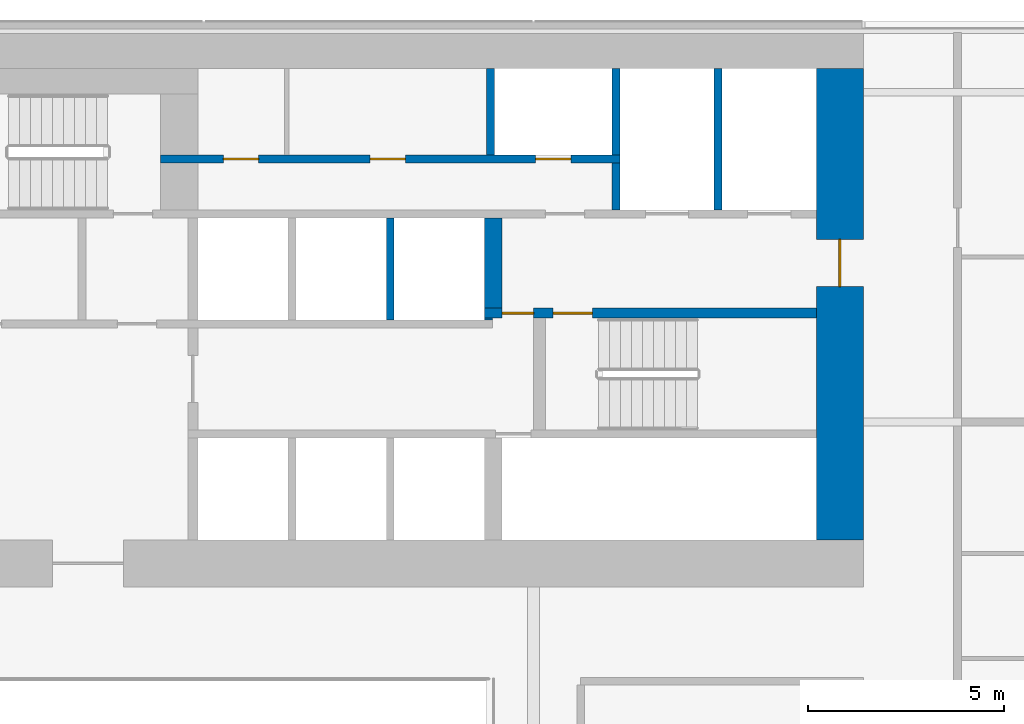
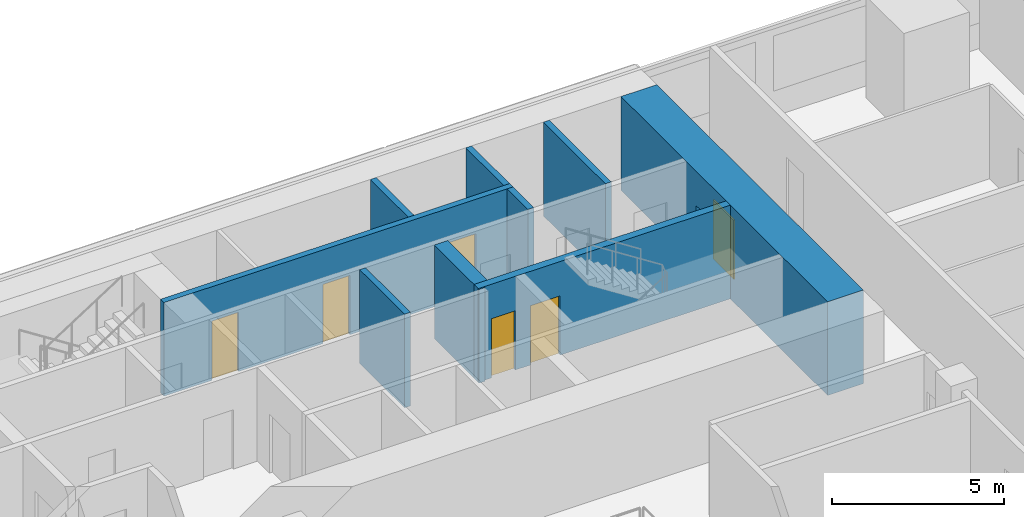
# One storey, part 23 of 28: 10 walls, 6 doors, 6 openings.
"""IFC4 building model written with IfcOpenShell, lengths in metres."""

from ifc_helpers import new_model, si_unit, direction, frame, frame_2d, origin, place, context, subcontext, project, spatial, rectangle, extrude, material, layer, layer_set, type_object, element, fill, save


model = new_model("IFC4")

# Units and contexts
model_context = context("Model", 3, precision=1e-05, world=origin(), true_north=direction((0.0, 1.0)))
body_context = subcontext(model_context, "Body", "Model", "MODEL_VIEW")
ifc_project = project(units=[si_unit("LENGTHUNIT", "METRE"), si_unit("AREAUNIT", "SQUARE_METRE"), si_unit("VOLUMEUNIT", "CUBIC_METRE"), si_unit("PLANEANGLEUNIT", "RADIAN"), si_unit("MASSUNIT", "GRAM", prefix="KILO")], contexts=[model_context])

# Site, building, storey
site_placement = place(None, origin())
site = spatial("IfcSite", under=ifc_project, at=site_placement, CompositionType="ELEMENT")
building_placement = place(site_placement, origin())
building = spatial("IfcBuilding", under=site, at=building_placement, Name="Saffron Gate Tower", CompositionType="ELEMENT")
storey_placement = place(building_placement, frame((0.0, 0.0, 51.60009765625)))
storey = spatial("IfcBuildingStorey", under=building, at=storey_placement, Name="L11", CompositionType="ELEMENT", Elevation=51.60009765625)

# Wall, opening, door
ifc_material_1 = material(Name="Concrete C70", Category="concrete")
ifc_layer_1 = layer(ifc_material_1, 1.199951171875)
ifc_layer_set_1 = layer_set([ifc_layer_1], Name="CW1 RC core wall 1200 C70")
wall_type_1 = type_object("IfcWallType", Name="CW1 RC core wall 1200 C70", PredefinedType="SOLIDWALL", material=ifc_layer_set_1)
wall_1_placement = place(storey_placement, frame((108.0, 62.39990234375, 0.0), z_axis=(0.0, 0.0, 1.0), x_axis=(0.0, 1.0, 0.0)))
wall_1 = element("IfcWall", 1, at=wall_1_placement, inside=storey, type_object=wall_type_1, Name="Wall CW1-L11-4", PredefinedType="SOLIDWALL", context=body_context, shape_type="SweptSolid", body=[
    extrude(rectangle(XDim=12.0, YDim=1.199951171875, at=frame_2d((6.0, 0.0))), origin(), (0.0, 0.0, 1.0), 3.31982421875),
])
opening_1_placement = place(wall_1_placement, frame((6.449951171875, 0.0, 0.0)))
opening_1 = element("IfcOpeningElement", 2, at=opening_1_placement, cuts=wall_1, Name="Opening CR-08", PredefinedType="OPENING", context=body_context, shape_type="SweptSolid", body=[
    extrude(rectangle(XDim=1.199951171875, YDim=2.10009765625, at=frame_2d((0.60009765625, 1.050048828125))), frame((0.0, 0.60986328125, 0.0), z_axis=(0.0, -1.0, 0.0), x_axis=(1.0, 0.0, 0.0)), (0.0, 0.0, 1.0), 1.219970703125),
])
ifc_material_2 = material(Name="Steel fire door set", Category="steel")
door_type_1 = type_object("IfcDoorType", Name="CD7 Core entrance door 1200x2100 EI 120", OperationType="NOTDEFINED", PredefinedType="DOOR", material=ifc_material_2)
door_1_placement = place(opening_1_placement, origin())
door_1 = element("IfcDoor", 3, at=door_1_placement, inside=storey, type_object=door_type_1, Name="DOOR CR-08", OperationType="SINGLE_SWING_RIGHT", OverallHeight=2.10009765625, OverallWidth=1.199951171875, PredefinedType="DOOR", context=body_context, shape_type="SweptSolid", body=[
    extrude(rectangle(XDim=1.199951171875, YDim=2.10009765625, at=frame_2d((0.60009765625, 1.050048828125))), frame((0.0, 0.02490234375, 0.0), z_axis=(0.0, -1.0, 0.0), x_axis=(1.0, 0.0, 0.0)), (0.0, 0.0, 1.0), 0.050048828125),
])
fill(opening_1, door_1)

# Wall, openings, doors
ifc_layer_2 = layer(ifc_material_1, 0.25)
ifc_layer_set_2 = layer_set([ifc_layer_2], Name="CW2 RC core wall 250 C70")
wall_type_2 = type_object("IfcWallType", Name="CW2 RC core wall 250 C70", PredefinedType="SOLIDWALL", material=ifc_layer_set_2)
wall_2_placement = place(storey_placement, frame((98.949951171875, 68.175048828125, 0.0), z_axis=(0.0, 0.0, 1.0), x_axis=(1.0, 0.0, 0.0)))
wall_2 = element("IfcWall", 4, at=wall_2_placement, inside=storey, type_object=wall_type_2, Name="Wall CW2-L11-30", PredefinedType="SOLIDWALL", context=body_context, shape_type="SweptSolid", body=[
    extrude(rectangle(XDim=8.449951171875, YDim=0.25, at=frame_2d((4.22509765625, 0.0))), origin(), (0.0, 0.0, 1.0), 3.31982421875),
])
opening_2_placement = place(wall_2_placement, frame((0.449951171875, 0.0, 0.0)))
opening_2 = element("IfcOpeningElement", 5, at=opening_2_placement, cuts=wall_2, Name="Opening CR-05", PredefinedType="OPENING", context=body_context, shape_type="SweptSolid", body=[
    extrude(rectangle(XDim=0.800048828125, YDim=2.10009765625, at=frame_2d((0.39990234375, 1.050048828125))), frame((0.0, 0.135009765625, 0.0), z_axis=(0.0, -1.0, 0.0), x_axis=(1.0, 0.0, 0.0)), (0.0, 0.0, 1.0), 0.27001953125),
])
opening_3_placement = place(wall_2_placement, frame((1.75, 0.0, 0.0)))
opening_3 = element("IfcOpeningElement", 6, at=opening_3_placement, cuts=wall_2, Name="Opening CR-16", PredefinedType="OPENING", context=body_context, shape_type="SweptSolid", body=[
    extrude(rectangle(XDim=1.0, YDim=2.10009765625, at=frame_2d((0.5, 1.050048828125))), frame((0.0, 0.135009765625, 0.0), z_axis=(0.0, -1.0, 0.0), x_axis=(1.0, 0.0, 0.0)), (0.0, 0.0, 1.0), 0.27001953125),
])
door_type_2 = type_object("IfcDoorType", Name="CD5 Stair door 1000x2100 EI 120", OperationType="NOTDEFINED", PredefinedType="DOOR", material=ifc_material_2)
door_2_placement = place(opening_3_placement, origin())
door_2 = element("IfcDoor", 7, at=door_2_placement, inside=storey, type_object=door_type_2, Name="DOOR CR-16", OperationType="SINGLE_SWING_RIGHT", OverallHeight=2.10009765625, OverallWidth=1.0, PredefinedType="DOOR", context=body_context, shape_type="SweptSolid", body=[
    extrude(rectangle(XDim=1.0, YDim=2.10009765625, at=frame_2d((0.5, 1.050048828125))), frame((0.0, 0.02490234375, 0.0), z_axis=(0.0, -1.0, 0.0), x_axis=(1.0, 0.0, 0.0)), (0.0, 0.0, 1.0), 0.050048828125),
])
fill(opening_3, door_2)
door_type_3 = type_object("IfcDoorType", Name="CD6 Lobby door 800x2100 EI 120", OperationType="NOTDEFINED", PredefinedType="DOOR", material=ifc_material_2)
door_3_placement = place(opening_2_placement, origin())
door_3 = element("IfcDoor", 8, at=door_3_placement, inside=storey, type_object=door_type_3, Name="DOOR CR-05", OperationType="SINGLE_SWING_LEFT", OverallHeight=2.10009765625, OverallWidth=0.800048828125, PredefinedType="DOOR", context=body_context, shape_type="SweptSolid", body=[
    extrude(rectangle(XDim=0.800048828125, YDim=2.10009765625, at=frame_2d((0.39990234375, 1.050048828125))), frame((0.0, 0.02490234375, 0.0), z_axis=(0.0, -1.0, 0.0), x_axis=(1.0, 0.0, 0.0)), (0.0, 0.0, 1.0), 0.050048828125),
])
fill(opening_2, door_3)

# Walls
ifc_layer_3 = layer(ifc_material_1, 0.199951171875)
ifc_layer_set_3 = layer_set([ifc_layer_3], Name="CW3 RC core wall 200 C70")
wall_type_3 = type_object("IfcWallType", Name="CW3 RC core wall 200 C70", PredefinedType="SOLIDWALL", material=ifc_layer_set_3)
wall_3_placement = place(storey_placement, frame((96.550048828125, 68.0, 0.0), z_axis=(0.0, 0.0, 1.0), x_axis=(0.0, 1.0, 0.0)))
element("IfcWall", 9, at=wall_3_placement, inside=storey, type_object=wall_type_3, Name="Wall CW3-L11-27", PredefinedType="SOLIDWALL", context=body_context, shape_type="SweptSolid", body=[
    extrude(rectangle(XDim=2.60009765625, YDim=0.199951171875, at=frame_2d((1.300048828125, 0.0))), origin(), (0.0, 0.0, 1.0), 3.31982421875),
])
wall_4_placement = place(storey_placement, frame((102.300048828125, 70.800048828125, 0.0), z_axis=(0.0, 0.0, 1.0), x_axis=(0.0, 1.0, 0.0)))
element("IfcWall", 10, at=wall_4_placement, inside=storey, type_object=wall_type_3, Name="Wall CW3-L11-38", PredefinedType="SOLIDWALL", context=body_context, shape_type="SweptSolid", body=[
    extrude(rectangle(XDim=1.199951171875, YDim=0.199951171875, at=frame_2d((0.60009765625, 0.0))), origin(), (0.0, 0.0, 1.0), 3.31982421875),
])
wall_5_placement = place(storey_placement, frame((104.89990234375, 70.800048828125, 0.0), z_axis=(0.0, 0.0, 1.0), x_axis=(0.0, 1.0, 0.0)))
element("IfcWall", 11, at=wall_5_placement, inside=storey, type_object=wall_type_3, Name="Wall CW3-L11-39", PredefinedType="SOLIDWALL", context=body_context, shape_type="SweptSolid", body=[
    extrude(rectangle(XDim=3.599853515625, YDim=0.199951171875, at=frame_2d((1.7998046875, 0.0))), origin(), (0.0, 0.0, 1.0), 3.31982421875),
])

# Wall, openings, doors
wall_6_placement = place(storey_placement, frame((90.699951171875, 72.10009765625, 0.0), z_axis=(0.0, 0.0, 1.0), x_axis=(1.0, 0.0, 0.0)))
wall_6 = element("IfcWall", 12, at=wall_6_placement, inside=storey, type_object=wall_type_3, Name="Wall CW3-L11-41", PredefinedType="SOLIDWALL", context=body_context, shape_type="SweptSolid", body=[
    extrude(rectangle(XDim=11.699951171875, YDim=0.199951171875, at=frame_2d((5.85009765625, 0.0))), origin(), (0.0, 0.0, 1.0), 3.31982421875),
])
opening_4_placement = place(wall_6_placement, frame((1.60009765625, 0.0, 0.0)))
opening_4 = element("IfcOpeningElement", 13, at=opening_4_placement, cuts=wall_6, Name="Opening CR-50", PredefinedType="OPENING", context=body_context, shape_type="SweptSolid", body=[
    extrude(rectangle(XDim=0.89990234375, YDim=2.10009765625, at=frame_2d((0.449951171875, 1.050048828125))), frame((0.0, 0.10986328125, 0.0), z_axis=(0.0, -1.0, 0.0), x_axis=(1.0, 0.0, 0.0)), (0.0, 0.0, 1.0), 0.219970703125),
])
opening_5_placement = place(wall_6_placement, frame((5.3349609375, 0.0, 0.0)))
opening_5 = element("IfcOpeningElement", 14, at=opening_5_placement, cuts=wall_6, Name="Opening CR-53", PredefinedType="OPENING", context=body_context, shape_type="SweptSolid", body=[
    extrude(rectangle(XDim=0.89990234375, YDim=2.10009765625, at=frame_2d((0.449951171875, 1.050048828125))), frame((0.0, 0.10986328125, 0.0), z_axis=(0.0, -1.0, 0.0), x_axis=(1.0, 0.0, 0.0)), (0.0, 0.0, 1.0), 0.219970703125),
])
opening_6_placement = place(wall_6_placement, frame((9.550048828125, 0.0, 0.0)))
opening_6 = element("IfcOpeningElement", 15, at=opening_6_placement, cuts=wall_6, Name="Opening CR-70", PredefinedType="OPENING", context=body_context, shape_type="SweptSolid", body=[
    extrude(rectangle(XDim=0.89990234375, YDim=2.10009765625, at=frame_2d((0.449951171875, 1.050048828125))), frame((0.0, 0.10986328125, 0.0), z_axis=(0.0, -1.0, 0.0), x_axis=(1.0, 0.0, 0.0)), (0.0, 0.0, 1.0), 0.219970703125),
])
door_type_4 = type_object("IfcDoorType", Name="CD2 Riser door 900x2100 EI 60", OperationType="NOTDEFINED", PredefinedType="DOOR", material=ifc_material_2)
door_4_placement = place(opening_6_placement, origin())
door_4 = element("IfcDoor", 16, at=door_4_placement, inside=storey, type_object=door_type_4, Name="DOOR CR-70", OperationType="SINGLE_SWING_LEFT", OverallHeight=2.10009765625, OverallWidth=0.89990234375, PredefinedType="DOOR", context=body_context, shape_type="SweptSolid", body=[
    extrude(rectangle(XDim=0.89990234375, YDim=2.10009765625, at=frame_2d((0.449951171875, 1.050048828125))), frame((0.0, 0.02490234375, 0.0), z_axis=(0.0, -1.0, 0.0), x_axis=(1.0, 0.0, 0.0)), (0.0, 0.0, 1.0), 0.050048828125),
])
fill(opening_6, door_4)
door_type_5 = type_object("IfcDoorType", Name="CD9 Room door 900x2100 EI 60", OperationType="NOTDEFINED", PredefinedType="DOOR", material=ifc_material_2)
door_5_placement = place(opening_4_placement, origin())
door_5 = element("IfcDoor", 17, at=door_5_placement, inside=storey, type_object=door_type_5, Name="DOOR CR-50", OperationType="SINGLE_SWING_LEFT", OverallHeight=2.10009765625, OverallWidth=0.89990234375, PredefinedType="DOOR", context=body_context, shape_type="SweptSolid", body=[
    extrude(rectangle(XDim=0.89990234375, YDim=2.10009765625, at=frame_2d((0.449951171875, 1.050048828125))), frame((0.0, 0.02490234375, 0.0), z_axis=(0.0, -1.0, 0.0), x_axis=(1.0, 0.0, 0.0)), (0.0, 0.0, 1.0), 0.050048828125),
])
fill(opening_4, door_5)
door_6_placement = place(opening_5_placement, origin())
door_6 = element("IfcDoor", 18, at=door_6_placement, inside=storey, type_object=door_type_5, Name="DOOR CR-53", OperationType="SINGLE_SWING_LEFT", OverallHeight=2.10009765625, OverallWidth=0.89990234375, PredefinedType="DOOR", context=body_context, shape_type="SweptSolid", body=[
    extrude(rectangle(XDim=0.89990234375, YDim=2.10009765625, at=frame_2d((0.449951171875, 1.050048828125))), frame((0.0, 0.02490234375, 0.0), z_axis=(0.0, -1.0, 0.0), x_axis=(1.0, 0.0, 0.0)), (0.0, 0.0, 1.0), 0.050048828125),
])
fill(opening_5, door_6)

# Walls
for number, where, z_axis, x_axis, name in (
    (19, (99.10009765625, 72.199951171875, 0.0), (0.0, 0.0, 1.0), (0.0, 1.0, 0.0), "Wall CW3-L11-49"),
    (20, (102.300048828125, 72.199951171875, 0.0), (0.0, 0.0, 1.0), (0.0, 1.0, 0.0), "Wall CW3-L11-50"),
):
    element("IfcWall", number, at=place(storey_placement, frame(where, z_axis=z_axis, x_axis=x_axis)), inside=storey, type_object=wall_type_3, Name=name, PredefinedType="SOLIDWALL", context=body_context, shape_type="SweptSolid", body=[
        extrude(rectangle(XDim=2.199951171875, YDim=0.199951171875, at=frame_2d((1.10009765625, 0.0))), origin(), (0.0, 0.0, 1.0), 3.31982421875),
    ])
ifc_layer_4 = layer(ifc_material_1, 0.449951171875)
ifc_layer_set_4 = layer_set([ifc_layer_4], Name="CW4 RC core wall 450 C70")
wall_type_4 = type_object("IfcWallType", Name="CW4 RC core wall 450 C70", PredefinedType="SOLIDWALL", material=ifc_layer_set_4)
wall_7_placement = place(storey_placement, frame((99.175048828125, 68.300048828125, 0.0), z_axis=(0.0, 0.0, 1.0), x_axis=(0.0, 1.0, 0.0)))
element("IfcWall", 21, at=wall_7_placement, inside=storey, type_object=wall_type_4, Name="Wall CW4-L11-32", PredefinedType="SOLIDWALL", context=body_context, shape_type="SweptSolid", body=[
    extrude(rectangle(XDim=2.300048828125, YDim=0.449951171875, at=frame_2d((1.14990234375, 0.0))), origin(), (0.0, 0.0, 1.0), 3.31982421875),
])
ifc_layer_5 = layer(ifc_material_1, 0.050048828125)
ifc_layer_set_5 = layer_set([ifc_layer_5], Name="CW6 RC core wall 50 C70")
wall_type_5 = type_object("IfcWallType", Name="CW6 RC core wall 50 C70", PredefinedType="SOLIDWALL", material=ifc_layer_set_5)
wall_8_placement = place(storey_placement, frame((98.949951171875, 68.02490234375, 0.0), z_axis=(0.0, 0.0, 1.0), x_axis=(1.0, 0.0, 0.0)))
element("IfcWall", 22, at=wall_8_placement, inside=storey, type_object=wall_type_5, Name="Wall CW6-L11-28", PredefinedType="SOLIDWALL", context=body_context, shape_type="SweptSolid", body=[
    extrude(rectangle(XDim=0.199951171875, YDim=0.050048828125, at=frame_2d((0.10009765625, 0.0))), origin(), (0.0, 0.0, 1.0), 3.31982421875),
])

save(model, "model.ifc")
